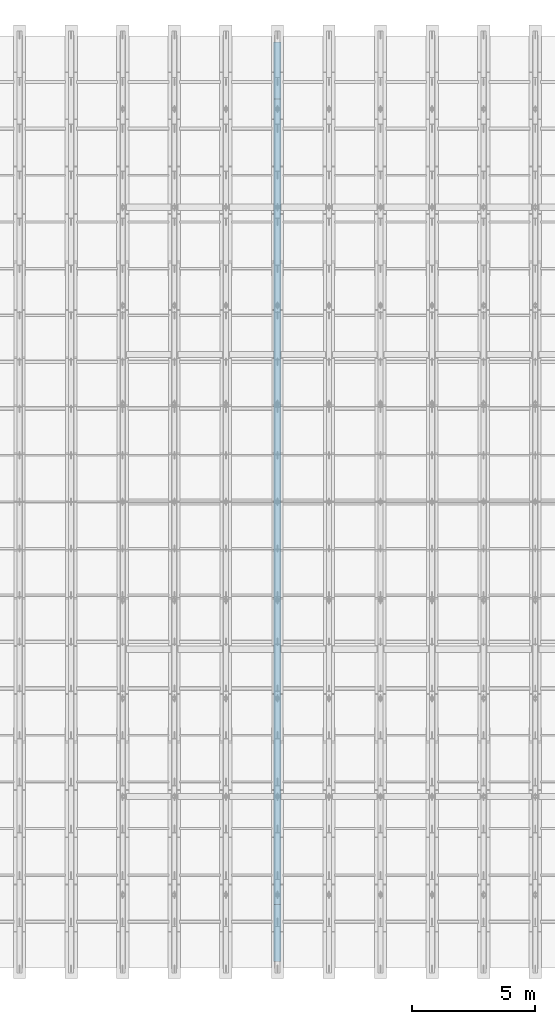
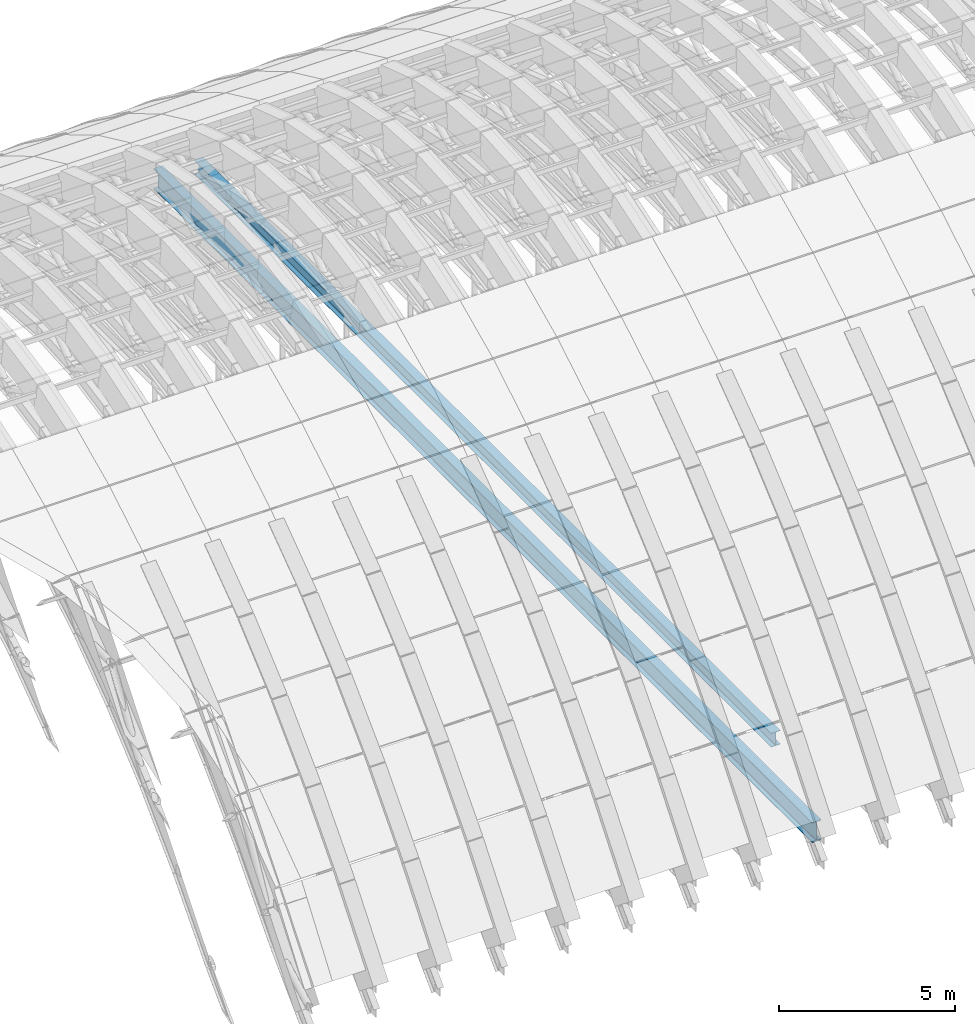
# One storey, part 21 of 67: 2 beams.
"""IFC4 building model written with IfcOpenShell, lengths in metres."""

from ifc_helpers import new_model, si_unit, direction, frame, origin, origin_2d, place, context, subcontext, project, spatial, i_section, extrude, material, material_profile, profile_set, type_object, element, save


model = new_model("IFC4")

# Units and contexts
model_context = context("Model", 3, precision=1e-05, world=origin(), true_north=direction((0.0, 1.0)))
body_context = subcontext(model_context, "Body", "Model", "MODEL_VIEW")
ifc_project = project(units=[si_unit("LENGTHUNIT", "METRE"), si_unit("AREAUNIT", "SQUARE_METRE"), si_unit("VOLUMEUNIT", "CUBIC_METRE"), si_unit("PLANEANGLEUNIT", "RADIAN"), si_unit("MASSUNIT", "GRAM", prefix="KILO")], contexts=[model_context])

# Site, building, storey
site_placement = place(None, origin())
site = spatial("IfcSite", under=ifc_project, at=site_placement, CompositionType="ELEMENT")
building_placement = place(site_placement, origin())
building = spatial("IfcBuilding", under=site, at=building_placement, Name="Shengluoqiao Park Theatre", CompositionType="ELEMENT")
storey_placement = place(building_placement, frame((0.0, 0.0, 28.60009765625)))
storey = spatial("IfcBuildingStorey", under=building, at=storey_placement, Name="Roof", CompositionType="ELEMENT", Elevation=28.60009765625)

# Beams
ifc_material_1 = material(Name="Steel Q355", Category="steel")
ifc_material_profile_1 = material_profile(ifc_material_1, i_section(OverallWidth=0.300048828125, OverallDepth=0.488037109375, WebThickness=0.010986328125, FlangeThickness=0.01806640625, FilletRadius=0.02197265625, at=origin_2d()), Name="HM 488x300x11x18")
ifc_profile_set_1 = profile_set([ifc_material_profile_1], Name="Steel Q355")
beam_type_1 = type_object("IfcBeamType", Name="STR-BM-G-HM488", PredefinedType="BEAM", material=ifc_profile_set_1)
beam_1_placement = place(storey_placement, frame((69.60009765625, 78.60009765625, -8.150146484375), z_axis=(0.0, 1.0, 0.0), x_axis=(-1.0, 0.0, 0.0)))
element("IfcBeam", 1, at=beam_1_placement, inside=storey, type_object=beam_type_1, Name="Barrel-Shell Acoustic Tie Truss Top Chord 13", PredefinedType="BEAM", context=body_context, shape_type="SweptSolid", body=[
    extrude(i_section(OverallWidth=0.300048828125, OverallDepth=0.488037109375, WebThickness=0.010986328125, FlangeThickness=0.01806640625, FilletRadius=0.02197265625, at=origin_2d()), origin(), (0.0, 0.0, 1.0), 32.7998046875),
])
ifc_material_2 = material(Name="Steel Q390", Category="steel")
ifc_material_profile_2 = material_profile(ifc_material_2, i_section(OverallWidth=0.300048828125, OverallDepth=0.699951171875, WebThickness=0.012939453125, FlangeThickness=0.02392578125, FilletRadius=0.02392578125, at=origin_2d()), Name="HN 700x300x13x24")
ifc_profile_set_2 = profile_set([ifc_material_profile_2], Name="Steel Q390")
beam_type_2 = type_object("IfcBeamType", Name="STR-BM-G-HN700", PredefinedType="BEAM", material=ifc_profile_set_2)
beam_2_placement = place(storey_placement, frame((69.60009765625, 76.280029296875, -9.9501953125), z_axis=(0.0, 1.0, 0.0), x_axis=(-1.0, 0.0, 0.0)))
element("IfcBeam", 2, at=beam_2_placement, inside=storey, type_object=beam_type_2, Name="Barrel-Shell Acoustic Tie Truss Bottom Chord 13", PredefinedType="BEAM", context=body_context, shape_type="SweptSolid", body=[
    extrude(i_section(OverallWidth=0.300048828125, OverallDepth=0.699951171875, WebThickness=0.012939453125, FlangeThickness=0.02392578125, FilletRadius=0.02392578125, at=origin_2d()), origin(), (0.0, 0.0, 1.0), 37.43994140625),
])

save(model, "model.ifc")
